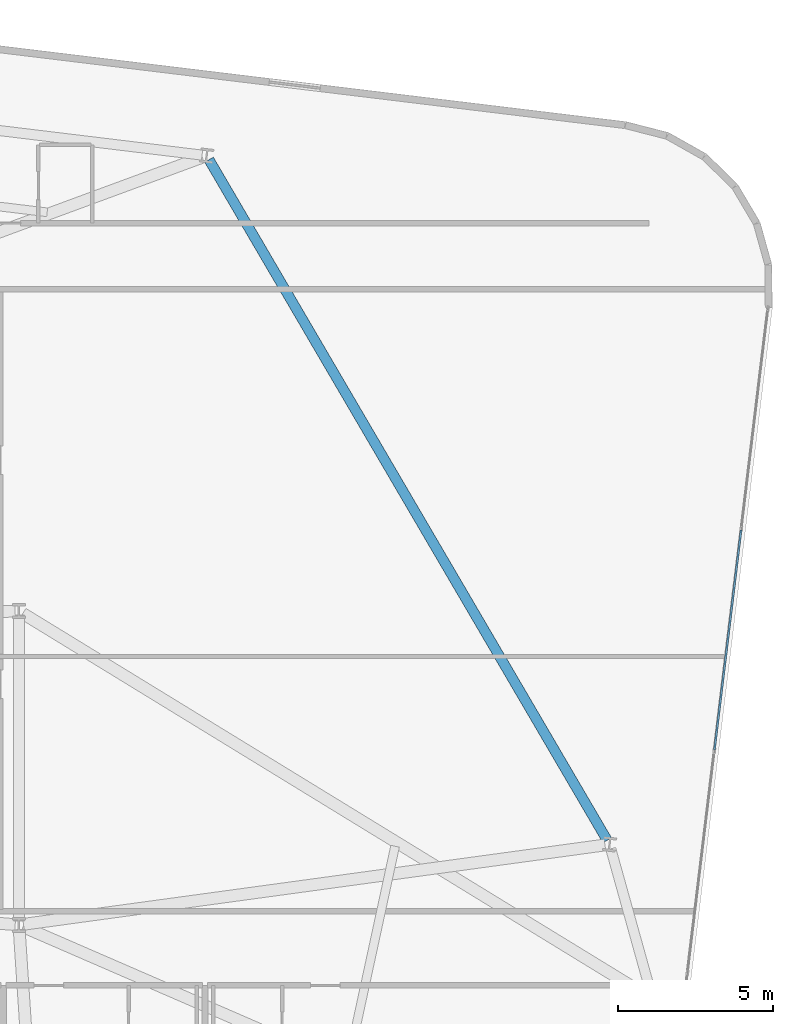
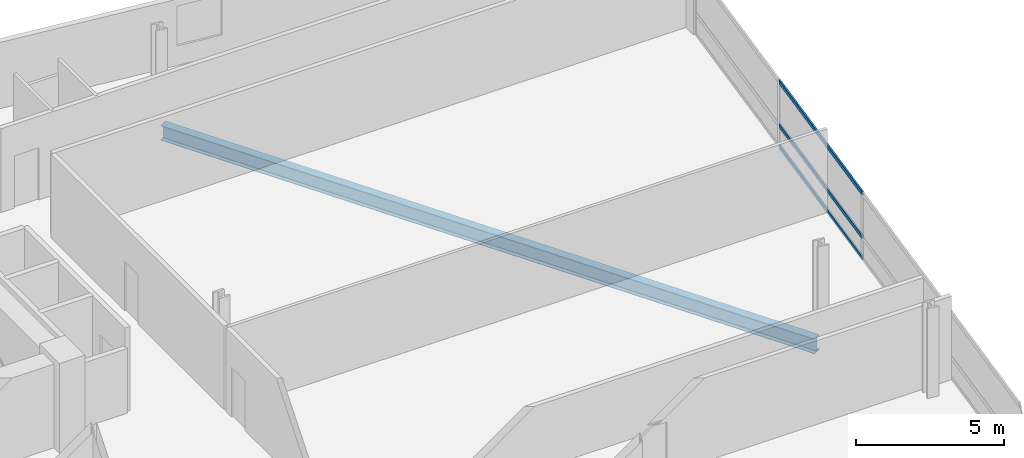
# One storey, part 17 of 26: 3 members, 1 beam, 1 element without a shape of its own.
"""IFC4 building model written with IfcOpenShell, lengths in metres."""

import ifcopenshell
import ifcopenshell.guid

model = None  # the IFC model being written
_history = None  # IfcOwnerHistory: only IFC2X3 demands one
_inside = {}  # id of a spatial element -> (the spatial element, [elements in it])
_under = {}  # id of a project, library or spatial element -> (it, [spatial elements below it])
_declared = {}  # id of a project -> (the project, [libraries it declares])
_typed = {}  # id of a type object -> (the type object, [elements of that type])
_made_of = {}  # id of a material, layer set ... -> (it, [elements and type objects made of it])


def new_model(schema):
    """Start an empty IFC model of exactly this schema.

    Asked for "IFC4X3", IfcOpenShell would pick the latest addendum, in which some entities
    have other attributes; the version numbers below select the first issue.
    IFC2X3 requires an IfcOwnerHistory on every rooted entity: one is made here for all.
    """
    global model, _history
    if schema == "IFC4X3":
        model = ifcopenshell.file(schema_version=(4, 3, 0, 0))
    else:
        model = ifcopenshell.file(schema=schema)
    _inside.clear()
    _under.clear()
    _declared.clear()
    _typed.clear()
    _made_of.clear()
    _history = None
    if model.schema == "IFC2X3":
        org = make("IfcOrganization", Name="unknown")
        user = make(
            "IfcPersonAndOrganization",
            ThePerson=make("IfcPerson", FamilyName="unknown"),
            TheOrganization=org,
        )
        app = make(
            "IfcApplication",
            ApplicationDeveloper=org,
            Version="unknown",
            ApplicationFullName="unknown",
            ApplicationIdentifier="unknown",
        )
        _history = make(
            "IfcOwnerHistory",
            OwningUser=user,
            OwningApplication=app,
            ChangeAction="ADDED",
            CreationDate=0,
        )
    return model


def make(cls, **values):
    """One entity of the class cls with the attributes given. An attribute that is None is left unset."""
    return model.create_entity(
        cls, **{name: value for name, value in values.items() if value is not None}
    )


def rooted(cls, **values):
    """An entity with a GlobalId (a new one), such as an element, a storey or a relation."""
    return make(cls, GlobalId=ifcopenshell.guid.new(), OwnerHistory=_history, **values)


def si_unit(unit_type, name, prefix=None):
    """IfcSIUnit, for example si_unit("LENGTHUNIT", "METRE", prefix="MILLI")."""
    return make("IfcSIUnit", UnitType=unit_type, Prefix=prefix, Name=name)


def assignment(units):
    """IfcUnitAssignment: the units of a project."""
    return None if units is None else make("IfcUnitAssignment", Units=units)


def point(xyz):
    """IfcCartesianPoint."""
    return None if xyz is None else make("IfcCartesianPoint", Coordinates=xyz)


def direction(xyz):
    """IfcDirection."""
    return None if xyz is None else make("IfcDirection", DirectionRatios=xyz)


def frame(location, z_axis=None, x_axis=None):
    """IfcAxis2Placement3D, a coordinate frame: its origin and axes. An axis left out is left unset."""
    return make(
        "IfcAxis2Placement3D",
        Location=point(location),
        Axis=direction(z_axis),
        RefDirection=direction(x_axis),
    )


def frame_2d(location, x_axis=None):
    """IfcAxis2Placement2D, a coordinate frame in the plane: its origin and x axis."""
    return make(
        "IfcAxis2Placement2D", Location=point(location), RefDirection=direction(x_axis)
    )


def origin():
    """The frame at (0, 0, 0) with its axes left unset."""
    return frame((0.0, 0.0, 0.0))


def origin_2d():
    """The frame at (0, 0) in the plane with its x axis left unset."""
    return frame_2d((0.0, 0.0))


def place(relative_to, where):
    """IfcLocalPlacement: puts the frame where relative to a parent placement (None: the world)."""
    return make(
        "IfcLocalPlacement", PlacementRelTo=relative_to, RelativePlacement=where
    )


def context(
    kind, dimensions, precision=None, world=None, true_north=None, identifier=None
):
    """IfcGeometricRepresentationContext, for example the 3D "Model" context."""
    return make(
        "IfcGeometricRepresentationContext",
        ContextIdentifier=identifier,
        ContextType=kind,
        CoordinateSpaceDimension=dimensions,
        Precision=precision,
        WorldCoordinateSystem=world,
        TrueNorth=true_north,
    )


def subcontext(parent, identifier, kind, view, scale=None):
    """IfcGeometricRepresentationSubContext, for example "Body" below "Model"."""
    return make(
        "IfcGeometricRepresentationSubContext",
        ContextIdentifier=identifier,
        ContextType=kind,
        ParentContext=parent,
        TargetScale=scale,
        TargetView=view,
    )


def project(units=None, contexts=None):
    """IfcProject with its units and contexts."""
    return rooted(
        "IfcProject",
        Name="project",
        RepresentationContexts=contexts,
        UnitsInContext=assignment(units),
    )


def spatial(cls, under=None, at=None, **own):
    """A site, building, storey or space (cls), placed at a placement, below another one or the project."""
    s = rooted(cls, ObjectPlacement=at, **own)
    if under is not None:
        _under.setdefault(under.id(), (under, []))[1].append(s)
    return s


def profile(cls, at=None, kind="AREA", **sizes):
    """A parametric profile (cls). Its sizes go by their IFC names, for example OverallWidth=200.0."""
    return make(cls, ProfileType=kind, Position=at, **sizes)


def hollow_rectangle(**sizes):
    """IfcRectangleHollowProfileDef."""
    return profile("IfcRectangleHollowProfileDef", **sizes)


def i_section(**sizes):
    """IfcIShapeProfileDef."""
    return profile("IfcIShapeProfileDef", **sizes)


def extrude(swept, where, along, depth):
    """IfcExtrudedAreaSolid: the profile swept, set in the frame where, extruded along a direction by depth."""
    return make(
        "IfcExtrudedAreaSolid",
        SweptArea=swept,
        Position=where,
        ExtrudedDirection=direction(along),
        Depth=depth,
    )


def shape(context_of_items, identifier, shape_type, items):
    """IfcShapeRepresentation: the items that make up one representation, for example the "Body"."""
    return make(
        "IfcShapeRepresentation",
        ContextOfItems=context_of_items,
        RepresentationIdentifier=identifier,
        RepresentationType=shape_type,
        Items=items,
    )


def material(Name=None, Category=None):
    """IfcMaterial."""
    return make("IfcMaterial", Name=Name, Category=Category)


def layer(
    of_material, thickness, ventilated=None, Name=None, Category=None, Priority=None
):
    """IfcMaterialLayer: one layer of a wall or slab, of a material (None: an air gap)."""
    return make(
        "IfcMaterialLayer",
        Material=of_material,
        LayerThickness=thickness,
        IsVentilated=ventilated,
        Name=Name,
        Category=Category,
        Priority=Priority,
    )


def layer_set(layers, Name=None):
    """IfcMaterialLayerSet."""
    return make("IfcMaterialLayerSet", MaterialLayers=layers, LayerSetName=Name)


def material_profile(
    of_material, cross_section, Name=None, Category=None, Priority=None
):
    """IfcMaterialProfile: a cross section and its material."""
    return make(
        "IfcMaterialProfile",
        Name=Name,
        Material=of_material,
        Profile=cross_section,
        Priority=Priority,
        Category=Category,
    )


def profile_set(profiles, Name=None, composite=None):
    """IfcMaterialProfileSet."""
    return make(
        "IfcMaterialProfileSet",
        Name=Name,
        MaterialProfiles=profiles,
        CompositeProfile=composite,
    )


def made_of(thing, what):
    """Note that an element or type object is made of a material, layer set ...; save() writes the relation."""
    if what is not None:
        _made_of.setdefault(what.id(), (what, []))[1].append(thing)
    return thing


def type_object(cls, material=None, **own):
    """A type object (cls), such as IfcWallType, which elements share."""
    return made_of(rooted(cls, **own), material)


def element(
    cls,
    number,
    at=None,
    inside=None,
    cuts=None,
    type_object=None,
    material=None,
    context=None,
    identifier="Body",
    shape_type=None,
    held_by="IfcProductDefinitionShape",
    body=None,
    shapes=None,
    **own,
):
    """One element of the class cls, such as IfcWall. Its Tag is "e" and its number.

    at: its placement. inside: the storey or other place that contains it. cuts: it is an
    opening in that element (IfcRelVoidsElement). A single representation is given by context,
    identifier, shape_type and body (its items); several are given by shapes. held_by: the class
    of the entity that holds the representations. save() writes the other relations.
    """
    e = rooted(cls, Tag="e%d" % number, ObjectPlacement=at, **own)
    if body is not None:
        shapes = [shape(context, identifier, shape_type, body)]
    if shapes is not None:
        e.Representation = make(held_by, Representations=shapes)
    if inside is not None:
        _inside.setdefault(inside.id(), (inside, []))[1].append(e)
    if cuts is not None:
        rooted(
            "IfcRelVoidsElement", RelatingBuildingElement=cuts, RelatedOpeningElement=e
        )
    if type_object is not None:
        _typed.setdefault(type_object.id(), (type_object, []))[1].append(e)
    return made_of(e, material)


def aggregate(whole, parts):
    """IfcRelAggregates: a whole, such as a stair, and the parts it consists of."""
    return rooted("IfcRelAggregates", RelatingObject=whole, RelatedObjects=parts)


def save(model, path):
    """Write the relations noted so far, then the file.

    IfcRelAggregates (storeys below a building ...), IfcRelContainedInSpatialStructure (elements
    in a storey), IfcRelDefinesByType, IfcRelAssociatesMaterial and IfcRelDeclares: one each for
    every whole, place, type object, material and project.
    """
    for whole, parts in _under.values():
        aggregate(whole, parts)
    for where, things in _inside.values():
        rooted(
            "IfcRelContainedInSpatialStructure",
            RelatedElements=things,
            RelatingStructure=where,
        )
    for kind, things in _typed.values():
        rooted("IfcRelDefinesByType", RelatedObjects=things, RelatingType=kind)
    for what, things in _made_of.values():
        rooted("IfcRelAssociatesMaterial", RelatedObjects=things, RelatingMaterial=what)
    for by, libraries in _declared.values():
        rooted("IfcRelDeclares", RelatingContext=by, RelatedDefinitions=libraries)
    model.write(path)


model = new_model("IFC4")

# Units and contexts
model_context = context("Model", 3, precision=1e-05, world=origin(), true_north=direction((0.0, 1.0)))
body_context = subcontext(model_context, "Body", "Model", "MODEL_VIEW")
ifc_project = project(units=[si_unit("LENGTHUNIT", "METRE"), si_unit("AREAUNIT", "SQUARE_METRE"), si_unit("VOLUMEUNIT", "CUBIC_METRE"), si_unit("PLANEANGLEUNIT", "RADIAN"), si_unit("MASSUNIT", "GRAM", prefix="KILO")], contexts=[model_context])

# Site, building, storey
site_placement = place(None, origin())
site = spatial("IfcSite", under=ifc_project, at=site_placement, CompositionType="ELEMENT")
building_placement = place(site_placement, origin())
building = spatial("IfcBuilding", under=site, at=building_placement, Name="Varnelok Gate Tower", CompositionType="ELEMENT")
storey_placement = place(building_placement, frame((0.0, 0.0, 121.699951171875)))
storey = spatial("IfcBuildingStorey", under=building, at=storey_placement, Name="L30", CompositionType="ELEMENT", Elevation=121.699951171875)

# Beam
ifc_material_1 = material(Name="Structural Steel ASTM A992 Grade 50", Category="steel")
ifc_material_profile_1 = material_profile(ifc_material_1, i_section(OverallWidth=0.323974609375, OverallDepth=0.611083984375, WebThickness=0.0126953125, FlangeThickness=0.01904296875, FilletRadius=0.01806640625, at=origin_2d()), Name="W24X104")
ifc_profile_set_1 = profile_set([ifc_material_profile_1], Name="Structural Steel ASTM A992 Grade 50")
beam_type = type_object("IfcBeamType", Name="BM-SPN-W24X104", PredefinedType="SPANDREL", material=ifc_profile_set_1)
beam_placement = place(storey_placement, frame((72.96875, 21.528076171875, -0.555419921875), z_axis=(-0.504960797965, 0.863142278259, 0.0), x_axis=(-0.863142278259, -0.504960797965, 0.0)))
element("IfcBeam", 1, at=beam_placement, inside=storey, type_object=beam_type, Name="L30 Perimeter Spandrel Beam 8", PredefinedType="SPANDREL", context=body_context, shape_type="SweptSolid", body=[
    extrude(i_section(OverallWidth=0.323974609375, OverallDepth=0.611083984375, WebThickness=0.0126953125, FlangeThickness=0.01904296875, FilletRadius=0.01806640625, at=origin_2d()), origin(), (0.0, 0.0, 1.0), 25.425537109375),
])

# Curtain wall, members
ifc_material_2 = material(Name="Anodized Aluminum Alloy 6063-T6", Category="aluminium")
ifc_layer = layer(ifc_material_2, 0.179931640625)
ifc_layer_set = layer_set([ifc_layer], Name="Anodized Aluminum Alloy 6063-T6")
curtain_wall_type = type_object("IfcCurtainWallType", Name="CW3-HOTEL-VISION", PredefinedType="USERDEFINED", material=ifc_layer_set)
curtain_wall_placement = place(storey_placement, origin())
curtain_wall = element("IfcCurtainWall", 2, at=curtain_wall_placement, inside=storey, type_object=curtain_wall_type, Name="L30 East End Vision Curtain Wall", ObjectType="UNITISED CURTAIN WALL", PredefinedType="USERDEFINED")
ifc_material_profile_2 = material_profile(ifc_material_2, hollow_rectangle(XDim=0.06494140625, YDim=0.159912109375, WallThickness=0.00390625, at=origin_2d()), Name="ALU160X65X4")
ifc_profile_set_2 = profile_set([ifc_material_profile_2], Name="Anodized Aluminum Alloy 6063-T6")
member_type = type_object("IfcMemberType", Name="CW-TRAN-160", PredefinedType="USERDEFINED", material=ifc_profile_set_2)
member_1_placement = place(storey_placement, frame((77.286376953125, 31.529296875, 0.032470703125), z_axis=(-0.120340564253, -0.992732667235, 0.0), x_axis=(0.992732667235, -0.120340564253, 0.0)))
member_1 = element("IfcMember", 3, at=member_1_placement, type_object=member_type, Name="CW3 transom 2.1", ObjectType="TRANSOM", PredefinedType="USERDEFINED", context=body_context, shape_type="SweptSolid", body=[
    extrude(hollow_rectangle(XDim=0.06494140625, YDim=0.159912109375, WallThickness=0.00390625, at=origin_2d()), origin(), (0.0, 0.0, 1.0), 7.135009765625),
])
member_2_placement = place(storey_placement, frame((77.286376953125, 31.529296875, 0.900146484375), z_axis=(-0.120340564253, -0.992732667235, 0.0), x_axis=(0.992732667235, -0.120340564253, 0.0)))
member_2 = element("IfcMember", 4, at=member_2_placement, type_object=member_type, Name="CW3 transom 2.2", ObjectType="TRANSOM", PredefinedType="USERDEFINED", context=body_context, shape_type="SweptSolid", body=[
    extrude(hollow_rectangle(XDim=0.06494140625, YDim=0.159912109375, WallThickness=0.00390625, at=origin_2d()), origin(), (0.0, 0.0, 1.0), 7.135009765625),
])
member_3_placement = place(storey_placement, frame((77.286376953125, 31.529296875, 2.697509765625), z_axis=(-0.120340564253, -0.992732667235, 0.0), x_axis=(0.992732667235, -0.120340564253, 0.0)))
member_3 = element("IfcMember", 5, at=member_3_placement, type_object=member_type, Name="CW3 transom 2.3", ObjectType="TRANSOM", PredefinedType="USERDEFINED", context=body_context, shape_type="SweptSolid", body=[
    extrude(hollow_rectangle(XDim=0.06494140625, YDim=0.159912109375, WallThickness=0.00390625, at=origin_2d()), origin(), (0.0, 0.0, 1.0), 7.135009765625),
])
aggregate(curtain_wall, [member_1, member_2, member_3])

save(model, "model.ifc")
